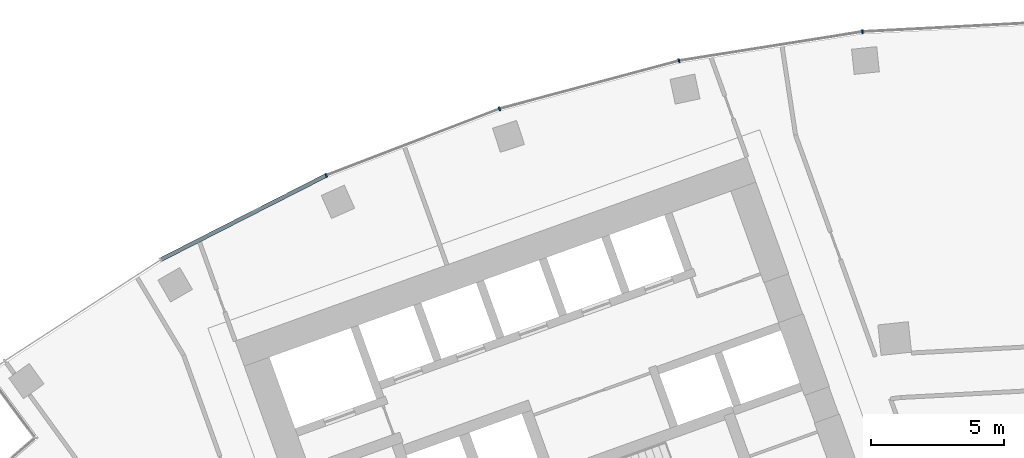
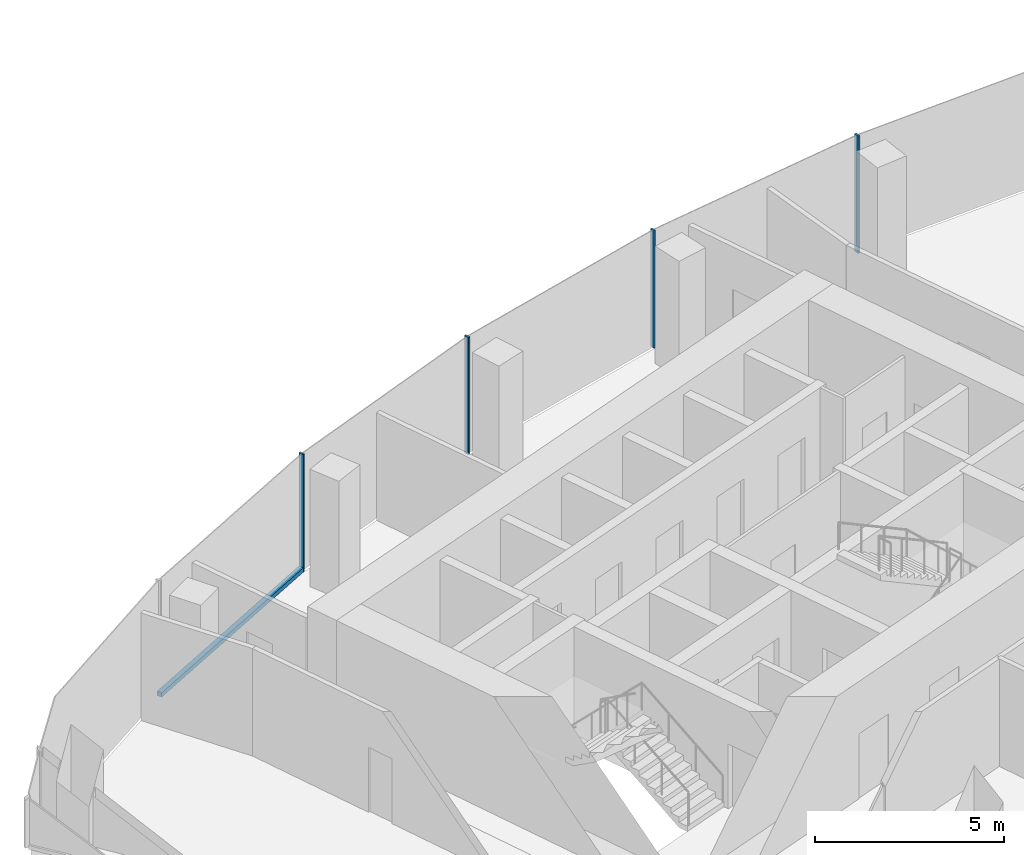
# One storey, part 5 of 18: 5 members, 1 element without a shape of its own.
"""IFC4 building model written with IfcOpenShell, lengths in metres."""

from ifc_helpers import new_model, si_unit, direction, frame, origin, origin_2d, place, context, subcontext, project, spatial, rectangle, extrude, material, layer, layer_set, material_profile, profile_set, type_object, element, aggregate, save


model = new_model("IFC4")

# Units and contexts
model_context = context("Model", 3, precision=1e-05, world=origin(), true_north=direction((0.0, 1.0)))
body_context = subcontext(model_context, "Body", "Model", "MODEL_VIEW")
ifc_project = project(units=[si_unit("LENGTHUNIT", "METRE"), si_unit("AREAUNIT", "SQUARE_METRE"), si_unit("VOLUMEUNIT", "CUBIC_METRE"), si_unit("PLANEANGLEUNIT", "RADIAN"), si_unit("MASSUNIT", "GRAM", prefix="KILO")], contexts=[model_context])

# Site, building, storey
site_placement = place(None, origin())
site = spatial("IfcSite", under=ifc_project, at=site_placement, CompositionType="ELEMENT")
building_placement = place(site_placement, origin())
building = spatial("IfcBuilding", under=site, at=building_placement, Name="Stone Belt Terrace Tower", CompositionType="ELEMENT")
storey_placement = place(building_placement, frame((0.0, 0.0, 220.0)))
storey = spatial("IfcBuildingStorey", under=building, at=storey_placement, Name="L53", CompositionType="ELEMENT", Elevation=220.0)

# Curtain wall, members
ifc_material = material(Name="Aluminium 6063-T6 anodised frame", Category="aluminium")
ifc_layer = layer(ifc_material, 0.14990234375)
ifc_layer_set = layer_set([ifc_layer], Name="CW-A unitised convex-face curtain wall")
curtain_wall_type = type_object("IfcCurtainWallType", Name="CW-A unitised convex-face curtain wall", PredefinedType="NOTDEFINED", material=ifc_layer_set)
curtain_wall_placement = place(storey_placement, origin())
curtain_wall = element("IfcCurtainWall", 1, at=curtain_wall_placement, inside=storey, type_object=curtain_wall_type, Name="CW-A convex face L53", PredefinedType="NOTDEFINED")
ifc_material_profile_1 = material_profile(ifc_material, rectangle(XDim=0.14990234375, YDim=0.06005859375, at=origin_2d()), Name="Aluminium 6063-T6 60x150")
ifc_profile_set_1 = profile_set([ifc_material_profile_1], Name="Aluminium 6063-T6 anodised frame")
member_type_1 = type_object("IfcMemberType", Name="CW-A mullion 60 x 150", PredefinedType="MULLION", material=ifc_profile_set_1)
member_1_placement = place(storey_placement, frame((-6.958984375, 66.21044921875, 0.0), z_axis=(0.0, 0.0, 1.0), x_axis=(0.104528463268, -0.994521895368, 0.0)))
member_1 = element("IfcMember", 2, at=member_1_placement, type_object=member_type_1, Name="CW-A mullion 10", PredefinedType="MULLION", context=body_context, shape_type="SweptSolid", body=[
    extrude(rectangle(XDim=0.14990234375, YDim=0.06005859375, at=origin_2d()), origin(), (0.0, 0.0, 1.0), 3.800048828125),
])
member_2_placement = place(storey_placement, frame((-13.841796875, 65.120361328125, 0.0), z_axis=(0.0, 0.0, 1.0), x_axis=(0.207911690818, -0.978147600734, 0.0)))
member_2 = element("IfcMember", 3, at=member_2_placement, type_object=member_type_1, Name="CW-A mullion 11", PredefinedType="MULLION", context=body_context, shape_type="SweptSolid", body=[
    extrude(rectangle(XDim=0.14990234375, YDim=0.06005859375, at=origin_2d()), origin(), (0.0, 0.0, 1.0), 3.800048828125),
])
member_3_placement = place(storey_placement, frame((-20.57275390625, 63.316650390625, 0.0), z_axis=(0.0, 0.0, 1.0), x_axis=(0.309016994375, -0.951056516295, 0.0)))
member_3 = element("IfcMember", 4, at=member_3_placement, type_object=member_type_1, Name="CW-A mullion 12", PredefinedType="MULLION", context=body_context, shape_type="SweptSolid", body=[
    extrude(rectangle(XDim=0.14990234375, YDim=0.06005859375, at=origin_2d()), origin(), (0.0, 0.0, 1.0), 3.800048828125),
])
member_4_placement = place(storey_placement, frame((-27.07861328125, 60.8193359375, 0.0), z_axis=(0.0, 0.0, 1.0), x_axis=(0.406736643076, -0.913545457643, 0.0)))
member_4 = element("IfcMember", 5, at=member_4_placement, type_object=member_type_1, Name="CW-A mullion 13", PredefinedType="MULLION", context=body_context, shape_type="SweptSolid", body=[
    extrude(rectangle(XDim=0.14990234375, YDim=0.06005859375, at=origin_2d()), origin(), (0.0, 0.0, 1.0), 3.800048828125),
])
ifc_material_profile_2 = material_profile(ifc_material, rectangle(XDim=0.14990234375, YDim=0.139892578125, at=origin_2d()), Name="Aluminium 6063-T6 150x140")
ifc_profile_set_2 = profile_set([ifc_material_profile_2], Name="Aluminium 6063-T6 anodised frame")
member_type_2 = type_object("IfcMemberType", Name="CW-A transom 140 x 150", PredefinedType="USERDEFINED", material=ifc_profile_set_2)
member_5_placement = place(storey_placement, frame((-27.108642578125, 60.803955078125, 0.070068359375), z_axis=(-0.891012226264, -0.453979308613, 0.0), x_axis=(0.453979308613, -0.891012226264, 0.0)))
member_5 = element("IfcMember", 6, at=member_5_placement, type_object=member_type_2, Name="CW-A transom 13.1", ObjectType="TRANSOM", PredefinedType="USERDEFINED", context=body_context, shape_type="SweptSolid", body=[
    extrude(rectangle(XDim=0.14990234375, YDim=0.139892578125, at=origin_2d()), origin(), (0.0, 0.0, 1.0), 6.90087890625),
])
aggregate(curtain_wall, [member_1, member_2, member_3, member_4, member_5])

save(model, "model.ifc")
